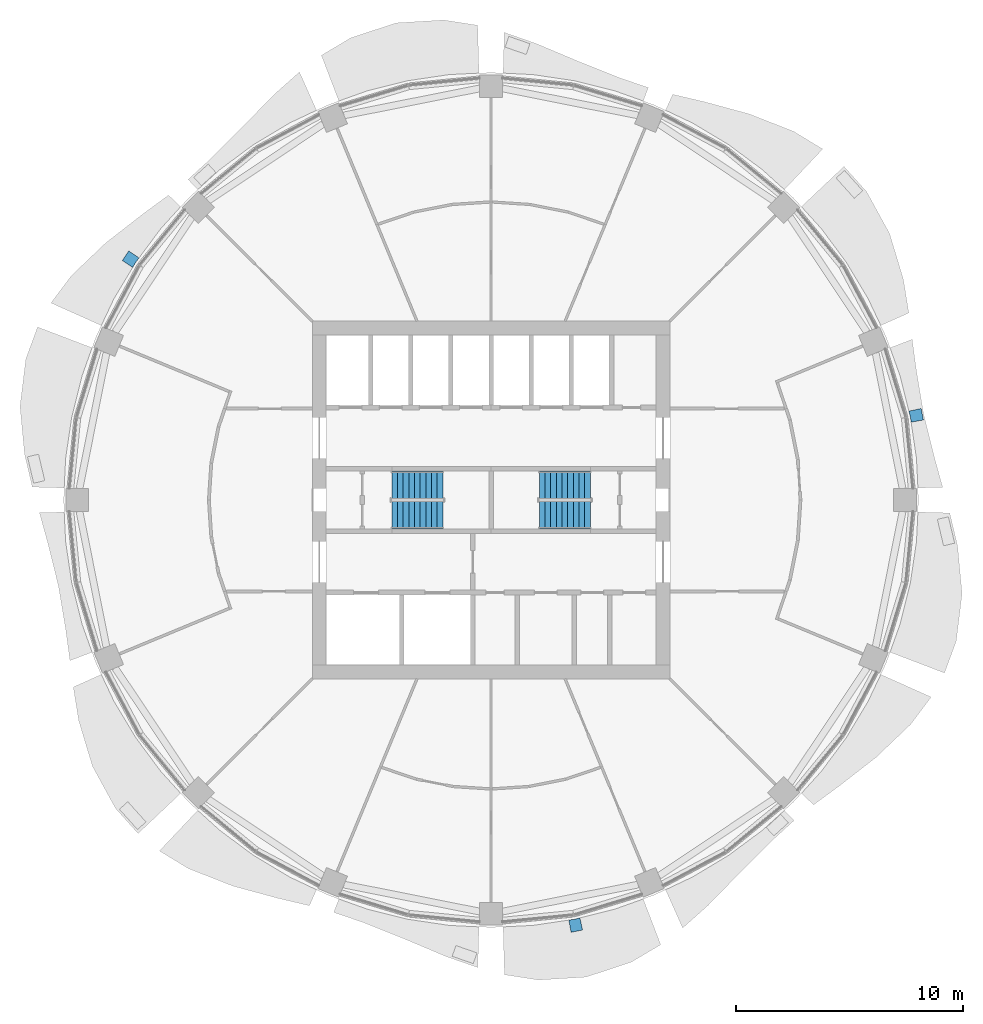
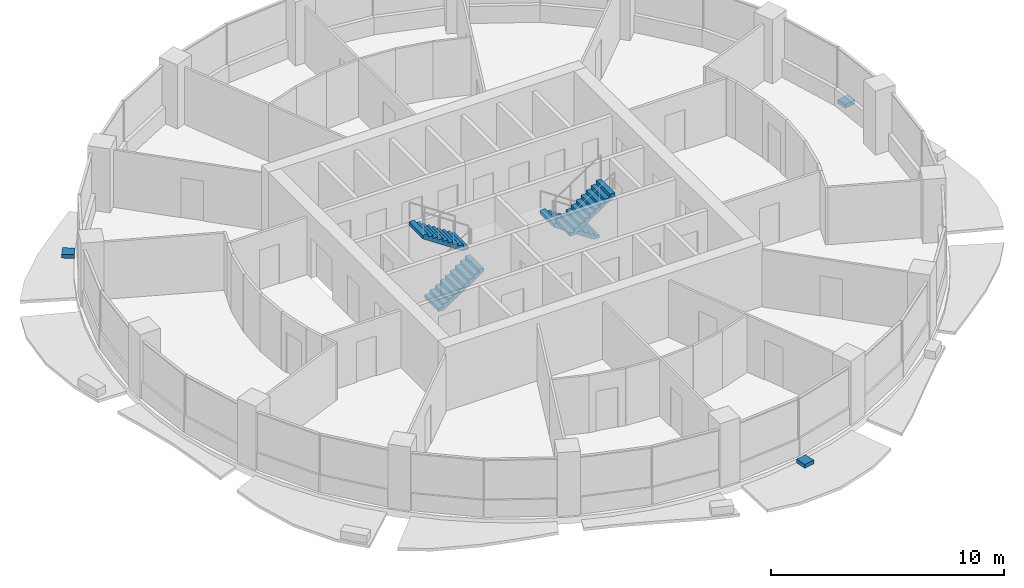
# One storey, part 11 of 15: 4 stair flights, 3 discrete accessories, 2 elements without a shape of their own.
"""IFC4 building model written with IfcOpenShell, lengths in metres."""

import ifcopenshell
import ifcopenshell.guid

model = None  # the IFC model being written
_history = None  # IfcOwnerHistory: only IFC2X3 demands one
_inside = {}  # id of a spatial element -> (the spatial element, [elements in it])
_under = {}  # id of a project, library or spatial element -> (it, [spatial elements below it])
_declared = {}  # id of a project -> (the project, [libraries it declares])
_typed = {}  # id of a type object -> (the type object, [elements of that type])
_made_of = {}  # id of a material, layer set ... -> (it, [elements and type objects made of it])


def new_model(schema):
    """Start an empty IFC model of exactly this schema.

    Asked for "IFC4X3", IfcOpenShell would pick the latest addendum, in which some entities
    have other attributes; the version numbers below select the first issue.
    IFC2X3 requires an IfcOwnerHistory on every rooted entity: one is made here for all.
    """
    global model, _history
    if schema == "IFC4X3":
        model = ifcopenshell.file(schema_version=(4, 3, 0, 0))
    else:
        model = ifcopenshell.file(schema=schema)
    _inside.clear()
    _under.clear()
    _declared.clear()
    _typed.clear()
    _made_of.clear()
    _history = None
    if model.schema == "IFC2X3":
        org = make("IfcOrganization", Name="unknown")
        user = make(
            "IfcPersonAndOrganization",
            ThePerson=make("IfcPerson", FamilyName="unknown"),
            TheOrganization=org,
        )
        app = make(
            "IfcApplication",
            ApplicationDeveloper=org,
            Version="unknown",
            ApplicationFullName="unknown",
            ApplicationIdentifier="unknown",
        )
        _history = make(
            "IfcOwnerHistory",
            OwningUser=user,
            OwningApplication=app,
            ChangeAction="ADDED",
            CreationDate=0,
        )
    return model


def make(cls, **values):
    """One entity of the class cls with the attributes given. An attribute that is None is left unset."""
    return model.create_entity(
        cls, **{name: value for name, value in values.items() if value is not None}
    )


def rooted(cls, **values):
    """An entity with a GlobalId (a new one), such as an element, a storey or a relation."""
    return make(cls, GlobalId=ifcopenshell.guid.new(), OwnerHistory=_history, **values)


def si_unit(unit_type, name, prefix=None):
    """IfcSIUnit, for example si_unit("LENGTHUNIT", "METRE", prefix="MILLI")."""
    return make("IfcSIUnit", UnitType=unit_type, Prefix=prefix, Name=name)


def assignment(units):
    """IfcUnitAssignment: the units of a project."""
    return None if units is None else make("IfcUnitAssignment", Units=units)


def point(xyz):
    """IfcCartesianPoint."""
    return None if xyz is None else make("IfcCartesianPoint", Coordinates=xyz)


def direction(xyz):
    """IfcDirection."""
    return None if xyz is None else make("IfcDirection", DirectionRatios=xyz)


def frame(location, z_axis=None, x_axis=None):
    """IfcAxis2Placement3D, a coordinate frame: its origin and axes. An axis left out is left unset."""
    return make(
        "IfcAxis2Placement3D",
        Location=point(location),
        Axis=direction(z_axis),
        RefDirection=direction(x_axis),
    )


def origin():
    """The frame at (0, 0, 0) with its axes left unset."""
    return frame((0.0, 0.0, 0.0))


def place(relative_to, where):
    """IfcLocalPlacement: puts the frame where relative to a parent placement (None: the world)."""
    return make(
        "IfcLocalPlacement", PlacementRelTo=relative_to, RelativePlacement=where
    )


def context(
    kind, dimensions, precision=None, world=None, true_north=None, identifier=None
):
    """IfcGeometricRepresentationContext, for example the 3D "Model" context."""
    return make(
        "IfcGeometricRepresentationContext",
        ContextIdentifier=identifier,
        ContextType=kind,
        CoordinateSpaceDimension=dimensions,
        Precision=precision,
        WorldCoordinateSystem=world,
        TrueNorth=true_north,
    )


def subcontext(parent, identifier, kind, view, scale=None):
    """IfcGeometricRepresentationSubContext, for example "Body" below "Model"."""
    return make(
        "IfcGeometricRepresentationSubContext",
        ContextIdentifier=identifier,
        ContextType=kind,
        ParentContext=parent,
        TargetScale=scale,
        TargetView=view,
    )


def project(units=None, contexts=None):
    """IfcProject with its units and contexts."""
    return rooted(
        "IfcProject",
        Name="project",
        RepresentationContexts=contexts,
        UnitsInContext=assignment(units),
    )


def spatial(cls, under=None, at=None, **own):
    """A site, building, storey or space (cls), placed at a placement, below another one or the project."""
    s = rooted(cls, ObjectPlacement=at, **own)
    if under is not None:
        _under.setdefault(under.id(), (under, []))[1].append(s)
    return s


def polyline(points):
    """IfcPolyline through the points."""
    return make("IfcPolyline", Points=[point(p) for p in points])


def outline(outer, holes=None, kind="AREA"):
    """IfcArbitraryClosedProfileDef: a profile drawn as a closed curve; with holes, ...WithVoids."""
    if holes is None:
        return make("IfcArbitraryClosedProfileDef", ProfileType=kind, OuterCurve=outer)
    return make(
        "IfcArbitraryProfileDefWithVoids",
        ProfileType=kind,
        OuterCurve=outer,
        InnerCurves=holes,
    )


def extrude(swept, where, along, depth):
    """IfcExtrudedAreaSolid: the profile swept, set in the frame where, extruded along a direction by depth."""
    return make(
        "IfcExtrudedAreaSolid",
        SweptArea=swept,
        Position=where,
        ExtrudedDirection=direction(along),
        Depth=depth,
    )


def shape(context_of_items, identifier, shape_type, items):
    """IfcShapeRepresentation: the items that make up one representation, for example the "Body"."""
    return make(
        "IfcShapeRepresentation",
        ContextOfItems=context_of_items,
        RepresentationIdentifier=identifier,
        RepresentationType=shape_type,
        Items=items,
    )


def material(Name=None, Category=None):
    """IfcMaterial."""
    return make("IfcMaterial", Name=Name, Category=Category)


def made_of(thing, what):
    """Note that an element or type object is made of a material, layer set ...; save() writes the relation."""
    if what is not None:
        _made_of.setdefault(what.id(), (what, []))[1].append(thing)
    return thing


def type_object(cls, material=None, **own):
    """A type object (cls), such as IfcWallType, which elements share."""
    return made_of(rooted(cls, **own), material)


def element(
    cls,
    number,
    at=None,
    inside=None,
    cuts=None,
    type_object=None,
    material=None,
    context=None,
    identifier="Body",
    shape_type=None,
    held_by="IfcProductDefinitionShape",
    body=None,
    shapes=None,
    **own,
):
    """One element of the class cls, such as IfcWall. Its Tag is "e" and its number.

    at: its placement. inside: the storey or other place that contains it. cuts: it is an
    opening in that element (IfcRelVoidsElement). A single representation is given by context,
    identifier, shape_type and body (its items); several are given by shapes. held_by: the class
    of the entity that holds the representations. save() writes the other relations.
    """
    e = rooted(cls, Tag="e%d" % number, ObjectPlacement=at, **own)
    if body is not None:
        shapes = [shape(context, identifier, shape_type, body)]
    if shapes is not None:
        e.Representation = make(held_by, Representations=shapes)
    if inside is not None:
        _inside.setdefault(inside.id(), (inside, []))[1].append(e)
    if cuts is not None:
        rooted(
            "IfcRelVoidsElement", RelatingBuildingElement=cuts, RelatedOpeningElement=e
        )
    if type_object is not None:
        _typed.setdefault(type_object.id(), (type_object, []))[1].append(e)
    return made_of(e, material)


def aggregate(whole, parts):
    """IfcRelAggregates: a whole, such as a stair, and the parts it consists of."""
    return rooted("IfcRelAggregates", RelatingObject=whole, RelatedObjects=parts)


def save(model, path):
    """Write the relations noted so far, then the file.

    IfcRelAggregates (storeys below a building ...), IfcRelContainedInSpatialStructure (elements
    in a storey), IfcRelDefinesByType, IfcRelAssociatesMaterial and IfcRelDeclares: one each for
    every whole, place, type object, material and project.
    """
    for whole, parts in _under.values():
        aggregate(whole, parts)
    for where, things in _inside.values():
        rooted(
            "IfcRelContainedInSpatialStructure",
            RelatedElements=things,
            RelatingStructure=where,
        )
    for kind, things in _typed.values():
        rooted("IfcRelDefinesByType", RelatedObjects=things, RelatingType=kind)
    for what, things in _made_of.values():
        rooted("IfcRelAssociatesMaterial", RelatedObjects=things, RelatingMaterial=what)
    for by, libraries in _declared.values():
        rooted("IfcRelDeclares", RelatingContext=by, RelatedDefinitions=libraries)
    model.write(path)


model = new_model("IFC4")

# Units and contexts
model_context = context("Model", 3, precision=1e-05, world=origin(), true_north=direction((0.0, 1.0)))
body_context = subcontext(model_context, "Body", "Model", "MODEL_VIEW")
ifc_project = project(units=[si_unit("LENGTHUNIT", "METRE"), si_unit("AREAUNIT", "SQUARE_METRE"), si_unit("VOLUMEUNIT", "CUBIC_METRE"), si_unit("PLANEANGLEUNIT", "RADIAN"), si_unit("MASSUNIT", "GRAM", prefix="KILO")], contexts=[model_context])

# Site, building, storey
site_placement = place(None, origin())
site = spatial("IfcSite", under=ifc_project, at=site_placement, CompositionType="ELEMENT")
building_placement = place(site_placement, origin())
building = spatial("IfcBuilding", under=site, at=building_placement, Name="Polderwave Tower", CompositionType="ELEMENT")
storey_placement = place(building_placement, frame((0.0, 0.0, 157.800048828125)))
storey = spatial("IfcBuildingStorey", under=building, at=storey_placement, Name="L42", CompositionType="ELEMENT", Elevation=157.800048828125)

# Stair, stair flights
ifc_material_1 = material(Name="Concrete C40/50", Category="concrete")
stair_type = type_object("IfcStairType", Name="Exit stair 1200 x 20 risers", PredefinedType="HALF_TURN_STAIR", material=ifc_material_1)
stair_1_placement = place(storey_placement, origin())
stair_1 = element("IfcStair", 1, at=stair_1_placement, inside=storey, type_object=stair_type, Name="L42 Exit stair A", PredefinedType="HALF_TURN_STAIR")
stair_flight_type = type_object("IfcStairFlightType", Name="Stair flight 1200", PredefinedType="STRAIGHT", material=ifc_material_1)
stair_flight_1_placement = place(storey_placement, frame((-4.3740234375, -0.675048828125, 0.0), z_axis=(0.0, 0.0, 1.0), x_axis=(1.0, 0.0, 0.0)))
stair_flight_1 = element("IfcStairFlight", 2, at=stair_flight_1_placement, type_object=stair_flight_type, Name="ST-A flight 1", NumberOfRisers=10, NumberOfTreads=9, PredefinedType="STRAIGHT", RiserHeight=0.1675, TreadLength=0.25, context=body_context, shape_type="SweptSolid", body=[
    extrude(outline(polyline([(0.0, 0.0), (0.0, 0.16748046875), (0.25, 0.16748046875), (0.25, 0.3349609375), (0.5, 0.3349609375), (0.5, 0.50244140625), (0.75, 0.50244140625), (0.75, 0.669921875), (1.0, 0.669921875), (1.0, 0.83740234375), (1.25, 0.83740234375), (1.25, 1.0048828125), (1.5, 1.0048828125), (1.5, 1.172607421875), (1.75, 1.172607421875), (1.75, 1.340087890625), (2.0, 1.340087890625), (2.0, 1.507568359375), (2.25, 1.507568359375), (2.25, 1.675048828125), (2.25, 1.3271484375), (0.269287109375, 0.0), (0.0, 0.0)])), frame((0.0, 0.60009765625, 0.0), z_axis=(0.0, -1.0, 0.0), x_axis=(1.0, 0.0, 0.0)), (0.0, 0.0, 1.0), 1.199951171875),
])
stair_flight_2_placement = place(storey_placement, frame((-2.1240234375, 0.675048828125, 1.675048828125), z_axis=(0.0, 0.0, 1.0), x_axis=(-1.0, 0.0, 0.0)))
stair_flight_2 = element("IfcStairFlight", 3, at=stair_flight_2_placement, type_object=stair_flight_type, Name="ST-A flight 2", NumberOfRisers=10, NumberOfTreads=9, PredefinedType="STRAIGHT", RiserHeight=0.1675, TreadLength=0.25, context=body_context, shape_type="SweptSolid", body=[
    extrude(outline(polyline([(0.0, 0.0), (0.0, 0.16748046875), (0.25, 0.16748046875), (0.25, 0.3349609375), (0.5, 0.3349609375), (0.5, 0.50244140625), (0.75, 0.50244140625), (0.75, 0.669921875), (1.0, 0.669921875), (1.0, 0.83740234375), (1.25, 0.83740234375), (1.25, 1.0048828125), (1.5, 1.0048828125), (1.5, 1.172607421875), (1.75, 1.172607421875), (1.75, 1.340087890625), (2.0, 1.340087890625), (2.0, 1.507568359375), (2.25, 1.507568359375), (2.25, 1.675048828125), (2.25, 1.3271484375), (0.269287109375, 0.0), (0.0, 0.0)])), frame((0.0, 0.60009765625, 0.0), z_axis=(0.0, -1.0, 0.0), x_axis=(1.0, 0.0, 0.0)), (0.0, 0.0, 1.0), 1.199951171875),
])
aggregate(stair_1, [stair_flight_1, stair_flight_2])

stair_2_placement = place(storey_placement, origin())
stair_2 = element("IfcStair", 4, at=stair_2_placement, inside=storey, type_object=stair_type, Name="L42 Exit stair B", PredefinedType="HALF_TURN_STAIR")
stair_flight_3_placement = place(storey_placement, frame((4.3740234375, 0.675048828125, 0.0), z_axis=(0.0, 0.0, 1.0), x_axis=(-1.0, 0.0, 0.0)))
stair_flight_3 = element("IfcStairFlight", 5, at=stair_flight_3_placement, type_object=stair_flight_type, Name="ST-B flight 1", NumberOfRisers=10, NumberOfTreads=9, PredefinedType="STRAIGHT", RiserHeight=0.1675, TreadLength=0.25, context=body_context, shape_type="SweptSolid", body=[
    extrude(outline(polyline([(0.0, 0.0), (0.0, 0.16748046875), (0.25, 0.16748046875), (0.25, 0.3349609375), (0.5, 0.3349609375), (0.5, 0.50244140625), (0.75, 0.50244140625), (0.75, 0.669921875), (1.0, 0.669921875), (1.0, 0.83740234375), (1.25, 0.83740234375), (1.25, 1.0048828125), (1.5, 1.0048828125), (1.5, 1.172607421875), (1.75, 1.172607421875), (1.75, 1.340087890625), (2.0, 1.340087890625), (2.0, 1.507568359375), (2.25, 1.507568359375), (2.25, 1.675048828125), (2.25, 1.3271484375), (0.269287109375, 0.0), (0.0, 0.0)])), frame((0.0, 0.60009765625, 0.0), z_axis=(0.0, -1.0, 0.0), x_axis=(1.0, 0.0, 0.0)), (0.0, 0.0, 1.0), 1.199951171875),
])
stair_flight_4_placement = place(storey_placement, frame((2.1240234375, -0.675048828125, 1.675048828125), z_axis=(0.0, 0.0, 1.0), x_axis=(1.0, 0.0, 0.0)))
stair_flight_4 = element("IfcStairFlight", 6, at=stair_flight_4_placement, type_object=stair_flight_type, Name="ST-B flight 2", NumberOfRisers=10, NumberOfTreads=9, PredefinedType="STRAIGHT", RiserHeight=0.1675, TreadLength=0.25, context=body_context, shape_type="SweptSolid", body=[
    extrude(outline(polyline([(0.0, 0.0), (0.0, 0.16748046875), (0.25, 0.16748046875), (0.25, 0.3349609375), (0.5, 0.3349609375), (0.5, 0.50244140625), (0.75, 0.50244140625), (0.75, 0.669921875), (1.0, 0.669921875), (1.0, 0.83740234375), (1.25, 0.83740234375), (1.25, 1.0048828125), (1.5, 1.0048828125), (1.5, 1.172607421875), (1.75, 1.172607421875), (1.75, 1.340087890625), (2.0, 1.340087890625), (2.0, 1.507568359375), (2.25, 1.507568359375), (2.25, 1.675048828125), (2.25, 1.3271484375), (0.269287109375, 0.0), (0.0, 0.0)])), frame((0.0, 0.60009765625, 0.0), z_axis=(0.0, -1.0, 0.0), x_axis=(1.0, 0.0, 0.0)), (0.0, 0.0, 1.0), 1.199951171875),
])
aggregate(stair_2, [stair_flight_3, stair_flight_4])

# Discrete accessories
ifc_material_2 = material(Name="Steel S355", Category="steel")
discrete_accessory_type = type_object("IfcDiscreteAccessoryType", Name="Band bracket pad", PredefinedType="BRACKET", material=ifc_material_2)
discrete_accessory_1_placement = place(storey_placement, frame((0.0, 0.0, -0.199951171875)))
element("IfcDiscreteAccessory", 7, at=discrete_accessory_1_placement, inside=storey, type_object=discrete_accessory_type, Name="Band bracket L42 1", PredefinedType="BRACKET", context=body_context, shape_type="SweptSolid", body=[
    extrude(outline(polyline([(18.5048828125, 3.42626953125), (18.46826171875, 3.673583984375), (18.407470703125, 3.916015625), (18.9453125, 4.030517578125), (19.045654296875, 3.5263671875), (18.5048828125, 3.42626953125)])), origin(), (0.0, 0.0, 1.0), 0.199951171875),
])
discrete_accessory_2_placement = place(storey_placement, frame((0.0, 0.0, -0.199951171875)))
element("IfcDiscreteAccessory", 8, at=discrete_accessory_2_placement, inside=storey, type_object=discrete_accessory_type, Name="Band bracket L42 7", PredefinedType="BRACKET", context=body_context, shape_type="SweptSolid", body=[
    extrude(outline(polyline([(-15.507568359375, 10.662109375), (-15.656494140625, 10.46142578125), (-15.78515625, 10.2470703125), (-16.246337890625, 10.54638671875), (-15.9609375, 10.973876953125), (-15.507568359375, 10.662109375)])), origin(), (0.0, 0.0, 1.0), 0.199951171875),
])
discrete_accessory_3_placement = place(storey_placement, frame((0.0, 0.0, -0.199951171875)))
element("IfcDiscreteAccessory", 9, at=discrete_accessory_3_placement, inside=storey, type_object=discrete_accessory_type, Name="Band bracket L42 13", PredefinedType="BRACKET", context=body_context, shape_type="SweptSolid", body=[
    extrude(outline(polyline([(3.42626953125, -18.5048828125), (3.673583984375, -18.46826171875), (3.916015625, -18.407470703125), (4.030517578125, -18.9453125), (3.5263671875, -19.045654296875), (3.42626953125, -18.5048828125)])), origin(), (0.0, 0.0, 1.0), 0.199951171875),
])

save(model, "model.ifc")
